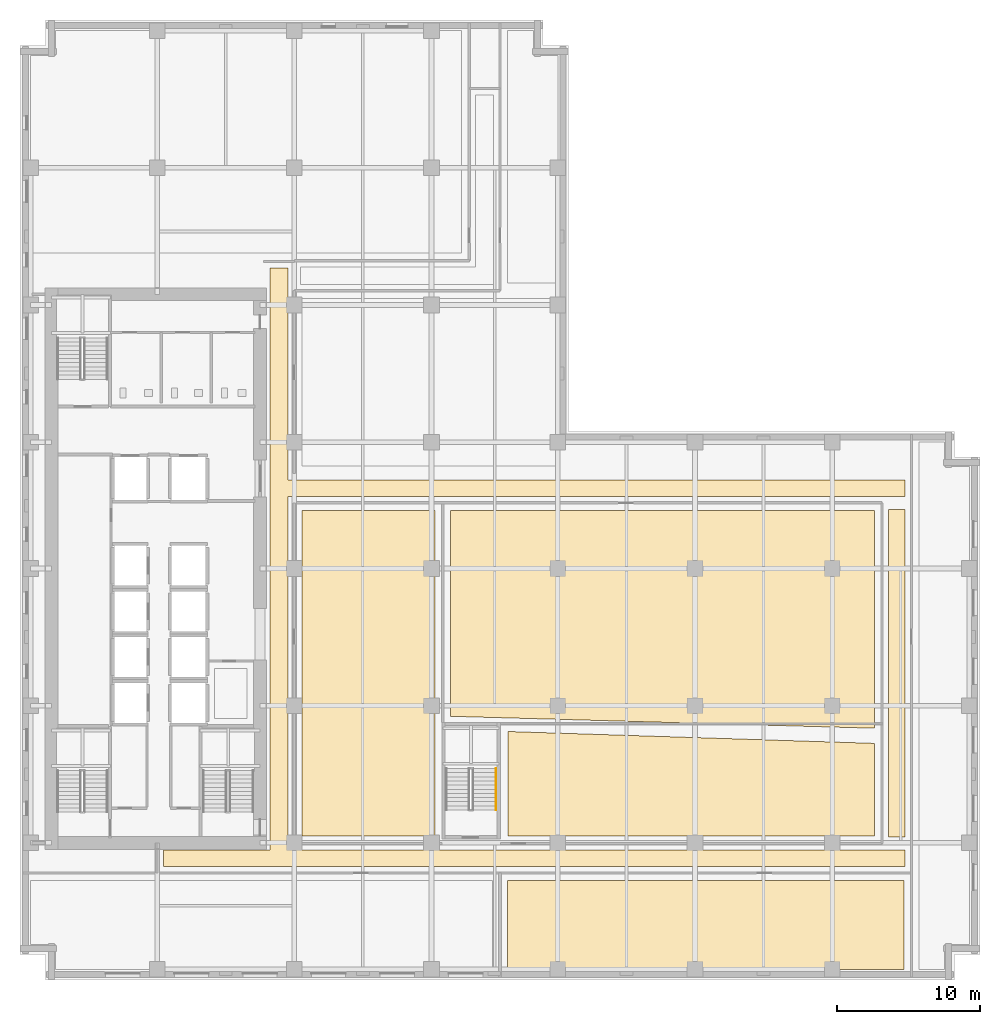
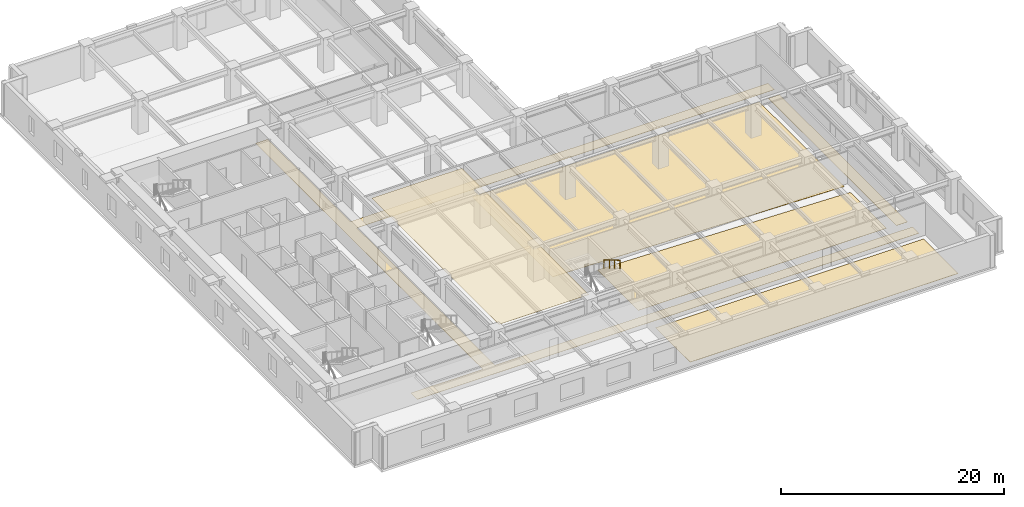
# One storey, part 12 of 15: 6 coverings, 1 railing.
"""IFC4 building model written with IfcOpenShell, lengths in metres."""

import ifcopenshell
import ifcopenshell.guid

model = None  # the IFC model being written
_history = None  # IfcOwnerHistory: only IFC2X3 demands one
_inside = {}  # id of a spatial element -> (the spatial element, [elements in it])
_under = {}  # id of a project, library or spatial element -> (it, [spatial elements below it])
_declared = {}  # id of a project -> (the project, [libraries it declares])
_typed = {}  # id of a type object -> (the type object, [elements of that type])
_made_of = {}  # id of a material, layer set ... -> (it, [elements and type objects made of it])


def new_model(schema):
    """Start an empty IFC model of exactly this schema.

    Asked for "IFC4X3", IfcOpenShell would pick the latest addendum, in which some entities
    have other attributes; the version numbers below select the first issue.
    IFC2X3 requires an IfcOwnerHistory on every rooted entity: one is made here for all.
    """
    global model, _history
    if schema == "IFC4X3":
        model = ifcopenshell.file(schema_version=(4, 3, 0, 0))
    else:
        model = ifcopenshell.file(schema=schema)
    _inside.clear()
    _under.clear()
    _declared.clear()
    _typed.clear()
    _made_of.clear()
    _history = None
    if model.schema == "IFC2X3":
        org = make("IfcOrganization", Name="unknown")
        user = make(
            "IfcPersonAndOrganization",
            ThePerson=make("IfcPerson", FamilyName="unknown"),
            TheOrganization=org,
        )
        app = make(
            "IfcApplication",
            ApplicationDeveloper=org,
            Version="unknown",
            ApplicationFullName="unknown",
            ApplicationIdentifier="unknown",
        )
        _history = make(
            "IfcOwnerHistory",
            OwningUser=user,
            OwningApplication=app,
            ChangeAction="ADDED",
            CreationDate=0,
        )
    return model


def make(cls, **values):
    """One entity of the class cls with the attributes given. An attribute that is None is left unset."""
    return model.create_entity(
        cls, **{name: value for name, value in values.items() if value is not None}
    )


def rooted(cls, **values):
    """An entity with a GlobalId (a new one), such as an element, a storey or a relation."""
    return make(cls, GlobalId=ifcopenshell.guid.new(), OwnerHistory=_history, **values)


def si_unit(unit_type, name, prefix=None):
    """IfcSIUnit, for example si_unit("LENGTHUNIT", "METRE", prefix="MILLI")."""
    return make("IfcSIUnit", UnitType=unit_type, Prefix=prefix, Name=name)


def assignment(units):
    """IfcUnitAssignment: the units of a project."""
    return None if units is None else make("IfcUnitAssignment", Units=units)


def point(xyz):
    """IfcCartesianPoint."""
    return None if xyz is None else make("IfcCartesianPoint", Coordinates=xyz)


def direction(xyz):
    """IfcDirection."""
    return None if xyz is None else make("IfcDirection", DirectionRatios=xyz)


def frame(location, z_axis=None, x_axis=None):
    """IfcAxis2Placement3D, a coordinate frame: its origin and axes. An axis left out is left unset."""
    return make(
        "IfcAxis2Placement3D",
        Location=point(location),
        Axis=direction(z_axis),
        RefDirection=direction(x_axis),
    )


def frame_2d(location, x_axis=None):
    """IfcAxis2Placement2D, a coordinate frame in the plane: its origin and x axis."""
    return make(
        "IfcAxis2Placement2D", Location=point(location), RefDirection=direction(x_axis)
    )


def origin():
    """The frame at (0, 0, 0) with its axes left unset."""
    return frame((0.0, 0.0, 0.0))


def origin_2d():
    """The frame at (0, 0) in the plane with its x axis left unset."""
    return frame_2d((0.0, 0.0))


def place(relative_to, where):
    """IfcLocalPlacement: puts the frame where relative to a parent placement (None: the world)."""
    return make(
        "IfcLocalPlacement", PlacementRelTo=relative_to, RelativePlacement=where
    )


def context(
    kind, dimensions, precision=None, world=None, true_north=None, identifier=None
):
    """IfcGeometricRepresentationContext, for example the 3D "Model" context."""
    return make(
        "IfcGeometricRepresentationContext",
        ContextIdentifier=identifier,
        ContextType=kind,
        CoordinateSpaceDimension=dimensions,
        Precision=precision,
        WorldCoordinateSystem=world,
        TrueNorth=true_north,
    )


def subcontext(parent, identifier, kind, view, scale=None):
    """IfcGeometricRepresentationSubContext, for example "Body" below "Model"."""
    return make(
        "IfcGeometricRepresentationSubContext",
        ContextIdentifier=identifier,
        ContextType=kind,
        ParentContext=parent,
        TargetScale=scale,
        TargetView=view,
    )


def project(units=None, contexts=None):
    """IfcProject with its units and contexts."""
    return rooted(
        "IfcProject",
        Name="project",
        RepresentationContexts=contexts,
        UnitsInContext=assignment(units),
    )


def spatial(cls, under=None, at=None, **own):
    """A site, building, storey or space (cls), placed at a placement, below another one or the project."""
    s = rooted(cls, ObjectPlacement=at, **own)
    if under is not None:
        _under.setdefault(under.id(), (under, []))[1].append(s)
    return s


def polyline(points):
    """IfcPolyline through the points."""
    return make("IfcPolyline", Points=[point(p) for p in points])


def profile(cls, at=None, kind="AREA", **sizes):
    """A parametric profile (cls). Its sizes go by their IFC names, for example OverallWidth=200.0."""
    return make(cls, ProfileType=kind, Position=at, **sizes)


def circle(**sizes):
    """IfcCircleProfileDef."""
    return profile("IfcCircleProfileDef", **sizes)


def outline(outer, holes=None, kind="AREA"):
    """IfcArbitraryClosedProfileDef: a profile drawn as a closed curve; with holes, ...WithVoids."""
    if holes is None:
        return make("IfcArbitraryClosedProfileDef", ProfileType=kind, OuterCurve=outer)
    return make(
        "IfcArbitraryProfileDefWithVoids",
        ProfileType=kind,
        OuterCurve=outer,
        InnerCurves=holes,
    )


def extrude(swept, where, along, depth):
    """IfcExtrudedAreaSolid: the profile swept, set in the frame where, extruded along a direction by depth."""
    return make(
        "IfcExtrudedAreaSolid",
        SweptArea=swept,
        Position=where,
        ExtrudedDirection=direction(along),
        Depth=depth,
    )


def shape(context_of_items, identifier, shape_type, items):
    """IfcShapeRepresentation: the items that make up one representation, for example the "Body"."""
    return make(
        "IfcShapeRepresentation",
        ContextOfItems=context_of_items,
        RepresentationIdentifier=identifier,
        RepresentationType=shape_type,
        Items=items,
    )


def material(Name=None, Category=None):
    """IfcMaterial."""
    return make("IfcMaterial", Name=Name, Category=Category)


def layer(
    of_material, thickness, ventilated=None, Name=None, Category=None, Priority=None
):
    """IfcMaterialLayer: one layer of a wall or slab, of a material (None: an air gap)."""
    return make(
        "IfcMaterialLayer",
        Material=of_material,
        LayerThickness=thickness,
        IsVentilated=ventilated,
        Name=Name,
        Category=Category,
        Priority=Priority,
    )


def layer_set(layers, Name=None):
    """IfcMaterialLayerSet."""
    return make("IfcMaterialLayerSet", MaterialLayers=layers, LayerSetName=Name)


def made_of(thing, what):
    """Note that an element or type object is made of a material, layer set ...; save() writes the relation."""
    if what is not None:
        _made_of.setdefault(what.id(), (what, []))[1].append(thing)
    return thing


def type_object(cls, material=None, **own):
    """A type object (cls), such as IfcWallType, which elements share."""
    return made_of(rooted(cls, **own), material)


def element(
    cls,
    number,
    at=None,
    inside=None,
    cuts=None,
    type_object=None,
    material=None,
    context=None,
    identifier="Body",
    shape_type=None,
    held_by="IfcProductDefinitionShape",
    body=None,
    shapes=None,
    **own,
):
    """One element of the class cls, such as IfcWall. Its Tag is "e" and its number.

    at: its placement. inside: the storey or other place that contains it. cuts: it is an
    opening in that element (IfcRelVoidsElement). A single representation is given by context,
    identifier, shape_type and body (its items); several are given by shapes. held_by: the class
    of the entity that holds the representations. save() writes the other relations.
    """
    e = rooted(cls, Tag="e%d" % number, ObjectPlacement=at, **own)
    if body is not None:
        shapes = [shape(context, identifier, shape_type, body)]
    if shapes is not None:
        e.Representation = make(held_by, Representations=shapes)
    if inside is not None:
        _inside.setdefault(inside.id(), (inside, []))[1].append(e)
    if cuts is not None:
        rooted(
            "IfcRelVoidsElement", RelatingBuildingElement=cuts, RelatedOpeningElement=e
        )
    if type_object is not None:
        _typed.setdefault(type_object.id(), (type_object, []))[1].append(e)
    return made_of(e, material)


def aggregate(whole, parts):
    """IfcRelAggregates: a whole, such as a stair, and the parts it consists of."""
    return rooted("IfcRelAggregates", RelatingObject=whole, RelatedObjects=parts)


def save(model, path):
    """Write the relations noted so far, then the file.

    IfcRelAggregates (storeys below a building ...), IfcRelContainedInSpatialStructure (elements
    in a storey), IfcRelDefinesByType, IfcRelAssociatesMaterial and IfcRelDeclares: one each for
    every whole, place, type object, material and project.
    """
    for whole, parts in _under.values():
        aggregate(whole, parts)
    for where, things in _inside.values():
        rooted(
            "IfcRelContainedInSpatialStructure",
            RelatedElements=things,
            RelatingStructure=where,
        )
    for kind, things in _typed.values():
        rooted("IfcRelDefinesByType", RelatedObjects=things, RelatingType=kind)
    for what, things in _made_of.values():
        rooted("IfcRelAssociatesMaterial", RelatedObjects=things, RelatingMaterial=what)
    for by, libraries in _declared.values():
        rooted("IfcRelDeclares", RelatingContext=by, RelatedDefinitions=libraries)
    model.write(path)


model = new_model("IFC4")

# Units and contexts
model_context = context("Model", 3, precision=1e-05, world=origin(), true_north=direction((0.0, 1.0)))
body_context = subcontext(model_context, "Body", "Model", "MODEL_VIEW")
ifc_project = project(units=[si_unit("LENGTHUNIT", "METRE"), si_unit("AREAUNIT", "SQUARE_METRE"), si_unit("VOLUMEUNIT", "CUBIC_METRE"), si_unit("PLANEANGLEUNIT", "RADIAN"), si_unit("MASSUNIT", "GRAM", prefix="KILO")], contexts=[model_context])

# Site, building, storey
site_placement = place(None, origin())
site = spatial("IfcSite", under=ifc_project, at=site_placement, CompositionType="ELEMENT")
building_placement = place(site_placement, origin())
building = spatial("IfcBuilding", under=site, at=building_placement, Name="Norrvale University Quadrangle", CompositionType="ELEMENT")
storey_placement = place(building_placement, frame((0.0, 0.0, 88.800048828125)))
storey = spatial("IfcBuildingStorey", under=building, at=storey_placement, Name="L22", CompositionType="ELEMENT", Elevation=88.800048828125)

# Coverings
ifc_material_1 = material(Name="Perforated Acoustic Mineral Ceiling")
ifc_layer_1 = layer(ifc_material_1, 0.02490234375, Name="Perforated Acoustic Mineral Ceiling")
ifc_layer_set_1 = layer_set([ifc_layer_1], Name="Perforated Acoustic Mineral Ceiling")
covering_type_1 = type_object("IfcCoveringType", Name="Covering Acoustic Ceiling 25", PredefinedType="CEILING", material=ifc_layer_set_1)
covering_1_placement = place(storey_placement, frame((0.0, 0.0, 3.514892578125)))
element("IfcCovering", 1, at=covering_1_placement, inside=storey, type_object=covering_type_1, Name="Acoustic Ceiling RM-L22-IW1", PredefinedType="CEILING", context=body_context, shape_type="SweptSolid", body=[
    extrude(outline(polyline([(19.72998046875, 10.080078125), (19.72998046875, 32.8701171875), (29.050048828125, 32.8701171875), (29.050048828125, 10.080078125), (19.72998046875, 10.080078125)])), origin(), (0.0, 0.0, 1.0), 0.025146484375),
])
ifc_material_2 = material(Name="Polished Terrazzo Flooring")
ifc_layer_2 = layer(ifc_material_2, 0.02490234375, Name="Polished Terrazzo Flooring")
ifc_layer_set_2 = layer_set([ifc_layer_2], Name="Polished Terrazzo Flooring")
covering_type_2 = type_object("IfcCoveringType", Name="Covering Terrazzo Floor 30", PredefinedType="FLOORING", material=ifc_layer_set_2)
covering_2_placement = place(storey_placement, origin())
element("IfcCovering", 2, at=covering_2_placement, inside=storey, type_object=covering_type_2, Name="Terrazzo Flooring RM-L22-CORR1", PredefinedType="FLOORING", context=body_context, shape_type="SweptSolid", body=[
    extrude(outline(polyline([(10.050048828125, 7.949951171875), (10.050048828125, 9.10009765625), (17.5, 9.10009765625), (17.5, 49.85009765625), (18.75, 49.85009765625), (18.75, 35.0), (61.949951171875, 35.0), (61.949951171875, 33.85009765625), (18.75, 33.85009765625), (18.75, 9.10009765625), (61.949951171875, 9.10009765625), (61.949951171875, 7.949951171875), (10.050048828125, 7.949951171875)])), origin(), (0.0, 0.0, 1.0), 0.02490234375),
])
covering_3_placement = place(storey_placement, origin())
element("IfcCovering", 3, at=covering_3_placement, inside=storey, type_object=covering_type_2, Name="Terrazzo Flooring RM-L22-CORR2", PredefinedType="FLOORING", context=body_context, shape_type="SweptSolid", body=[
    extrude(outline(polyline([(60.800048828125, 10.0), (60.800048828125, 32.949951171875), (61.949951171875, 32.949951171875), (61.949951171875, 10.0), (60.800048828125, 10.0)])), origin(), (0.0, 0.0, 1.0), 0.02490234375),
])
covering_4_placement = place(storey_placement, origin())
element("IfcCovering", 4, at=covering_4_placement, inside=storey, type_object=covering_type_2, Name="Terrazzo Flooring RM-L22-S02", PredefinedType="FLOORING", context=body_context, shape_type="SweptSolid", body=[
    extrude(outline(polyline([(34.1298828125, 6.969970703125), (61.8701171875, 6.969970703125), (61.8701171875, 0.75), (34.1298828125, 0.75), (34.1298828125, 6.969970703125)])), origin(), (0.0, 0.0, 1.0), 0.02490234375),
])
covering_5_placement = place(storey_placement, origin())
element("IfcCovering", 5, at=covering_5_placement, inside=storey, type_object=covering_type_2, Name="Terrazzo Flooring RM-L22-ILH", PredefinedType="FLOORING", context=body_context, shape_type="SweptSolid", body=[
    extrude(outline(polyline([(30.1298828125, 18.4580078125), (30.1298828125, 32.8701171875), (59.820068359375, 32.8701171875), (59.820068359375, 17.623046875), (30.1298828125, 18.4580078125)])), origin(), (0.0, 0.0, 1.0), 0.02490234375),
])
covering_6_placement = place(storey_placement, origin())
element("IfcCovering", 6, at=covering_6_placement, inside=storey, type_object=covering_type_2, Name="Terrazzo Flooring RM-L22-ISE", PredefinedType="FLOORING", context=body_context, shape_type="SweptSolid", body=[
    extrude(outline(polyline([(34.14990234375, 10.080078125), (34.14990234375, 17.39501953125), (59.820068359375, 16.56396484375), (59.820068359375, 10.080078125), (34.14990234375, 10.080078125)])), origin(), (0.0, 0.0, 1.0), 0.02490234375),
])

# Railing
ifc_material_3 = material(Name="Stainless Steel 316L Handrail", Category="steel")
railing_type = type_object("IfcRailingType", Name="Railing Stair Handrail 920", PredefinedType="HANDRAIL", material=ifc_material_3)
railing_placement = place(storey_placement, frame((33.31005859375, 14.800048828125, 2.07275390625)))
element("IfcRailing", 7, at=railing_placement, inside=storey, type_object=railing_type, Name="Stair Upper Flight Handrail ST-04 L22", PredefinedType="HANDRAIL", context=body_context, shape_type="SweptSolid", body=[
    extrude(circle(Radius=0.02392578125, at=origin_2d()), frame((0.0, 0.0, 0.89599609375), z_axis=(0.0, -0.859160404282, 0.51170636083), x_axis=(1.0, 0.0, 0.0)), (0.0, 0.0, 1.0), 3.37548828125),
    extrude(circle(Radius=0.02099609375, at=origin_2d()), origin(), (0.0, 0.0, 1.0), 0.871826171875),
    extrude(circle(Radius=0.02099609375, at=origin_2d()), frame((0.0, -0.966796875, 0.57568359375)), (0.0, 0.0, 1.0), 0.871826171875),
    extrude(circle(Radius=0.02099609375, at=origin_2d()), frame((0.0, -1.933349609375, 1.151611328125)), (0.0, 0.0, 1.0), 0.871826171875),
    extrude(circle(Radius=0.02099609375, at=origin_2d()), frame((0.0, -2.900146484375, 1.727294921875)), (0.0, 0.0, 1.0), 0.871826171875),
])

save(model, "model.ifc")
